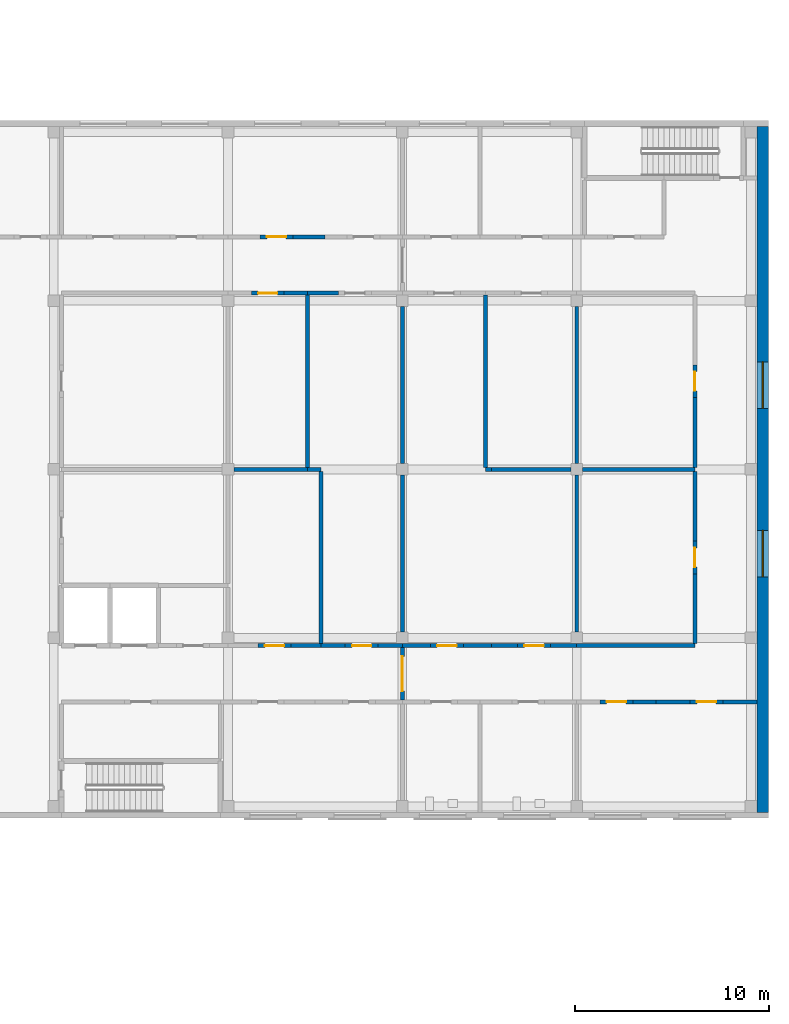
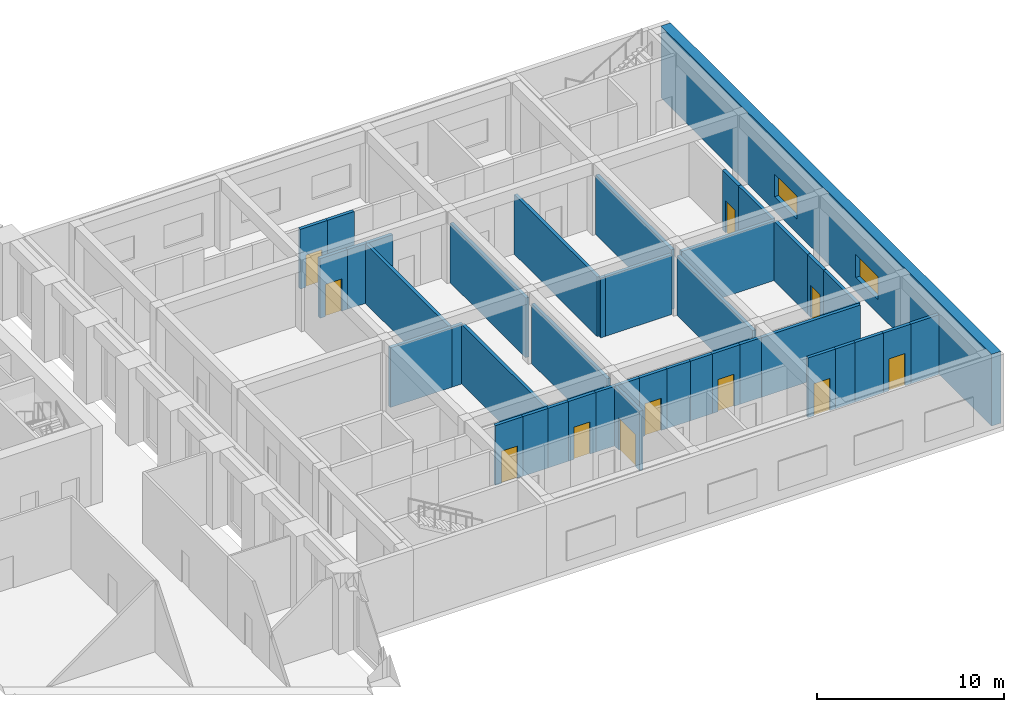
# One storey, part 14 of 24: 41 walls, 11 doors, 2 windows, 13 openings.
"""IFC4 building model written with IfcOpenShell, lengths in metres."""

from ifc_helpers import new_model, si_unit, direction, frame, frame_2d, origin, place, context, subcontext, project, spatial, rectangle, extrude, material, layer, layer_set, type_object, element, fill, save


model = new_model("IFC4")

# Units and contexts
model_context = context("Model", 3, precision=1e-05, world=origin(), true_north=direction((0.0, 1.0)))
body_context = subcontext(model_context, "Body", "Model", "MODEL_VIEW")
ifc_project = project(units=[si_unit("LENGTHUNIT", "METRE"), si_unit("AREAUNIT", "SQUARE_METRE"), si_unit("VOLUMEUNIT", "CUBIC_METRE"), si_unit("PLANEANGLEUNIT", "RADIAN"), si_unit("MASSUNIT", "GRAM", prefix="KILO")], contexts=[model_context])

# Site, building, storey
site_placement = place(None, origin())
site = spatial("IfcSite", under=ifc_project, at=site_placement, CompositionType="ELEMENT")
building_placement = place(site_placement, origin())
building = spatial("IfcBuilding", under=site, at=building_placement, Name="Girih Gate Residences", CompositionType="ELEMENT")
storey_placement = place(building_placement, frame((0.0, 0.0, 11.0)))
storey = spatial("IfcBuildingStorey", under=building, at=storey_placement, Name="L02", CompositionType="ELEMENT", Elevation=11.0)

# Wall, opening, door
ifc_material_1 = material(Name="Fire-rated gypsum partition")
ifc_layer_1 = layer(ifc_material_1, 0.199951171875)
ifc_layer_set_1 = layer_set([ifc_layer_1], Name="HC Corridor wall 200 EI 60")
wall_type_1 = type_object("IfcWallType", Name="HC Corridor wall 200 EI 60", PredefinedType="PARTITIONING", material=ifc_layer_set_1)
wall_1_placement = place(storey_placement, frame((83.35009765625, 15.0, 0.0), z_axis=(0.0, 0.0, 1.0), x_axis=(-1.0, 0.0, 0.0)))
wall_1 = element("IfcWall", 1, at=wall_1_placement, inside=storey, type_object=wall_type_1, Name="L02 wall x15.00/81.7", PredefinedType="PARTITIONING", context=body_context, shape_type="SweptSolid", body=[
    extrude(rectangle(XDim=1.7001953125, YDim=0.199951171875, at=frame_2d((0.85009765625, 0.0))), origin(), (0.0, 0.0, 1.0), 3.89990234375),
])
opening_1_placement = place(wall_1_placement, frame((0.35009765625, 0.0, 0.0)))
opening_1 = element("IfcOpeningElement", 2, at=opening_1_placement, cuts=wall_1, Name="Opening HC-L02-D12", PredefinedType="OPENING", context=body_context, shape_type="SweptSolid", body=[
    extrude(rectangle(XDim=1.0, YDim=2.10009765625, at=frame_2d((0.5, 1.050048828125))), frame((0.0, 0.10986328125, 0.0), z_axis=(0.0, -1.0, 0.0), x_axis=(1.0, 0.0, 0.0)), (0.0, 0.0, 1.0), 0.219970703125),
])
ifc_material_2 = material(Name="Timber door set", Category="wood")
door_type_1 = type_object("IfcDoorType", Name="HC Door 1000x2100 FD30S", OperationType="NOTDEFINED", PredefinedType="DOOR", material=ifc_material_2)
door_1_placement = place(opening_1_placement, origin())
door_1 = element("IfcDoor", 3, at=door_1_placement, inside=storey, type_object=door_type_1, Name="L02 Consulting room 3 door", OperationType="SINGLE_SWING_LEFT", OverallHeight=2.10009765625, OverallWidth=1.0, PredefinedType="DOOR", context=body_context, shape_type="SweptSolid", body=[
    extrude(rectangle(XDim=1.0, YDim=2.10009765625, at=frame_2d((0.5, 1.050048828125))), frame((0.0, 0.02490234375, 0.0), z_axis=(0.0, -1.0, 0.0), x_axis=(1.0, 0.0, 0.0)), (0.0, 0.0, 1.0), 0.050048828125),
])
fill(opening_1, door_1)

# Walls
wall_2_placement = place(storey_placement, frame((83.35009765625, 15.0, 0.0), z_axis=(0.0, 0.0, 1.0), x_axis=(1.0, 0.0, 0.0)))
element("IfcWall", 4, at=wall_2_placement, inside=storey, type_object=wall_type_1, Name="L02 wall x15.00/83.3", PredefinedType="PARTITIONING", context=body_context, shape_type="SweptSolid", body=[
    extrude(rectangle(XDim=1.199951171875, YDim=0.199951171875, at=frame_2d((0.60009765625, 0.0))), origin(), (0.0, 0.0, 1.0), 3.89990234375),
])
wall_3_placement = place(storey_placement, frame((84.550048828125, 15.0, 0.0), z_axis=(0.0, 0.0, 1.0), x_axis=(1.0, 0.0, 0.0)))
element("IfcWall", 5, at=wall_3_placement, inside=storey, type_object=wall_type_1, Name="L02 wall x15.00/84.5", PredefinedType="PARTITIONING", context=body_context, shape_type="SweptSolid", body=[
    extrude(rectangle(XDim=1.75, YDim=0.199951171875, at=frame_2d((0.875, 0.0))), origin(), (0.0, 0.0, 1.0), 3.89990234375),
])

# Wall, opening, door
wall_4_placement = place(storey_placement, frame((88.0, 15.0, 0.0), z_axis=(0.0, 0.0, 1.0), x_axis=(-1.0, 0.0, 0.0)))
wall_4 = element("IfcWall", 6, at=wall_4_placement, inside=storey, type_object=wall_type_1, Name="L02 wall x15.00/86.3", PredefinedType="PARTITIONING", context=body_context, shape_type="SweptSolid", body=[
    extrude(rectangle(XDim=1.699951171875, YDim=0.199951171875, at=frame_2d((0.85009765625, 0.0))), origin(), (0.0, 0.0, 1.0), 3.89990234375),
])
opening_2_placement = place(wall_4_placement, frame((0.35009765625, 0.0, 0.0)))
opening_2 = element("IfcOpeningElement", 7, at=opening_2_placement, cuts=wall_4, Name="Opening HC-L02-D13", PredefinedType="OPENING", context=body_context, shape_type="SweptSolid", body=[
    extrude(rectangle(XDim=1.0, YDim=2.10009765625, at=frame_2d((0.5, 1.050048828125))), frame((0.0, 0.10986328125, 0.0), z_axis=(0.0, -1.0, 0.0), x_axis=(1.0, 0.0, 0.0)), (0.0, 0.0, 1.0), 0.219970703125),
])
door_2_placement = place(opening_2_placement, origin())
door_2 = element("IfcDoor", 8, at=door_2_placement, inside=storey, type_object=door_type_1, Name="L02 Consulting room 4 door", OperationType="SINGLE_SWING_RIGHT", OverallHeight=2.10009765625, OverallWidth=1.0, PredefinedType="DOOR", context=body_context, shape_type="SweptSolid", body=[
    extrude(rectangle(XDim=1.0, YDim=2.10009765625, at=frame_2d((0.5, 1.050048828125))), frame((0.0, 0.02490234375, 0.0), z_axis=(0.0, -1.0, 0.0), x_axis=(1.0, 0.0, 0.0)), (0.0, 0.0, 1.0), 0.050048828125),
])
fill(opening_2, door_2)

# Wall
wall_5_placement = place(storey_placement, frame((88.0, 15.0, 0.0), z_axis=(0.0, 0.0, 1.0), x_axis=(1.0, 0.0, 0.0)))
element("IfcWall", 9, at=wall_5_placement, inside=storey, type_object=wall_type_1, Name="L02 wall x15.00/88.0", PredefinedType="PARTITIONING", context=body_context, shape_type="SweptSolid", body=[
    extrude(rectangle(XDim=1.75, YDim=0.199951171875, at=frame_2d((0.875, 0.0))), origin(), (0.0, 0.0, 1.0), 3.89990234375),
])

# Wall, opening, door
wall_6_placement = place(storey_placement, frame((64.0, 17.89990234375, 0.0), z_axis=(0.0, 0.0, 1.0), x_axis=(1.0, 0.0, 0.0)))
wall_6 = element("IfcWall", 10, at=wall_6_placement, inside=storey, type_object=wall_type_1, Name="L02 wall x17.90/64.0", PredefinedType="PARTITIONING", context=body_context, shape_type="SweptSolid", body=[
    extrude(rectangle(XDim=1.699951171875, YDim=0.199951171875, at=frame_2d((0.85009765625, 0.0))), origin(), (0.0, 0.0, 1.0), 3.89990234375),
])
opening_3_placement = place(wall_6_placement, frame((0.35009765625, 0.0, 0.0)))
opening_3 = element("IfcOpeningElement", 11, at=opening_3_placement, cuts=wall_6, Name="Opening HC-L02-D16", PredefinedType="OPENING", context=body_context, shape_type="SweptSolid", body=[
    extrude(rectangle(XDim=1.0, YDim=2.10009765625, at=frame_2d((0.5, 1.050048828125))), frame((0.0, 0.10986328125, 0.0), z_axis=(0.0, -1.0, 0.0), x_axis=(1.0, 0.0, 0.0)), (0.0, 0.0, 1.0), 0.219970703125),
])
door_3_placement = place(opening_3_placement, origin())
door_3 = element("IfcDoor", 12, at=door_3_placement, inside=storey, type_object=door_type_1, Name="L02 Treatment room 1 door", OperationType="SINGLE_SWING_RIGHT", OverallHeight=2.10009765625, OverallWidth=1.0, PredefinedType="DOOR", context=body_context, shape_type="SweptSolid", body=[
    extrude(rectangle(XDim=1.0, YDim=2.10009765625, at=frame_2d((0.5, 1.050048828125))), frame((0.0, 0.02490234375, 0.0), z_axis=(0.0, -1.0, 0.0), x_axis=(1.0, 0.0, 0.0)), (0.0, 0.0, 1.0), 0.050048828125),
])
fill(opening_3, door_3)

# Walls
wall_7_placement = place(storey_placement, frame((65.699951171875, 17.89990234375, 0.0), z_axis=(0.0, 0.0, 1.0), x_axis=(1.0, 0.0, 0.0)))
element("IfcWall", 13, at=wall_7_placement, inside=storey, type_object=wall_type_1, Name="L02 wall x17.90/65.7", PredefinedType="PARTITIONING", context=body_context, shape_type="SweptSolid", body=[
    extrude(rectangle(XDim=1.550048828125, YDim=0.199951171875, at=frame_2d((0.77490234375, 0.0))), origin(), (0.0, 0.0, 1.0), 3.89990234375),
])
wall_8_placement = place(storey_placement, frame((67.25, 17.89990234375, 0.0), z_axis=(0.0, 0.0, 1.0), x_axis=(1.0, 0.0, 0.0)))
element("IfcWall", 14, at=wall_8_placement, inside=storey, type_object=wall_type_1, Name="L02 wall x17.90/67.2", PredefinedType="PARTITIONING", context=body_context, shape_type="SweptSolid", body=[
    extrude(rectangle(XDim=1.25, YDim=0.199951171875, at=frame_2d((0.625, 0.0))), origin(), (0.0, 0.0, 1.0), 3.89990234375),
])

# Wall, opening, door
wall_9_placement = place(storey_placement, frame((68.5, 17.89990234375, 0.0), z_axis=(0.0, 0.0, 1.0), x_axis=(1.0, 0.0, 0.0)))
wall_9 = element("IfcWall", 15, at=wall_9_placement, inside=storey, type_object=wall_type_1, Name="L02 wall x17.90/68.5", PredefinedType="PARTITIONING", context=body_context, shape_type="SweptSolid", body=[
    extrude(rectangle(XDim=1.699951171875, YDim=0.199951171875, at=frame_2d((0.85009765625, 0.0))), origin(), (0.0, 0.0, 1.0), 3.89990234375),
])
opening_4_placement = place(wall_9_placement, frame((0.35009765625, 0.0, 0.0)))
opening_4 = element("IfcOpeningElement", 16, at=opening_4_placement, cuts=wall_9, Name="Opening HC-L02-D17", PredefinedType="OPENING", context=body_context, shape_type="SweptSolid", body=[
    extrude(rectangle(XDim=1.0, YDim=2.10009765625, at=frame_2d((0.5, 1.050048828125))), frame((0.0, 0.10986328125, 0.0), z_axis=(0.0, -1.0, 0.0), x_axis=(1.0, 0.0, 0.0)), (0.0, 0.0, 1.0), 0.219970703125),
])
door_4_placement = place(opening_4_placement, origin())
door_4 = element("IfcDoor", 17, at=door_4_placement, inside=storey, type_object=door_type_1, Name="L02 Interview room 1 door", OperationType="SINGLE_SWING_LEFT", OverallHeight=2.10009765625, OverallWidth=1.0, PredefinedType="DOOR", context=body_context, shape_type="SweptSolid", body=[
    extrude(rectangle(XDim=1.0, YDim=2.10009765625, at=frame_2d((0.5, 1.050048828125))), frame((0.0, 0.02490234375, 0.0), z_axis=(0.0, -1.0, 0.0), x_axis=(1.0, 0.0, 0.0)), (0.0, 0.0, 1.0), 0.050048828125),
])
fill(opening_4, door_4)

# Walls
wall_10_placement = place(storey_placement, frame((70.199951171875, 17.89990234375, 0.0), z_axis=(0.0, 0.0, 1.0), x_axis=(1.0, 0.0, 0.0)))
element("IfcWall", 18, at=wall_10_placement, inside=storey, type_object=wall_type_1, Name="L02 wall x17.90/70.2", PredefinedType="PARTITIONING", context=body_context, shape_type="SweptSolid", body=[
    extrude(rectangle(XDim=1.25, YDim=0.199951171875, at=frame_2d((0.625, 0.0))), origin(), (0.0, 0.0, 1.0), 3.89990234375),
])
wall_11_placement = place(storey_placement, frame((71.449951171875, 17.89990234375, 0.0), z_axis=(0.0, 0.0, 1.0), x_axis=(1.0, 0.0, 0.0)))
element("IfcWall", 19, at=wall_11_placement, inside=storey, type_object=wall_type_1, Name="L02 wall x17.90/71.5", PredefinedType="PARTITIONING", context=body_context, shape_type="SweptSolid", body=[
    extrude(rectangle(XDim=1.449951171875, YDim=0.199951171875, at=frame_2d((0.72509765625, 0.0))), origin(), (0.0, 0.0, 1.0), 3.89990234375),
])

# Wall, opening, door
wall_12_placement = place(storey_placement, frame((72.89990234375, 17.89990234375, 0.0), z_axis=(0.0, 0.0, 1.0), x_axis=(1.0, 0.0, 0.0)))
wall_12 = element("IfcWall", 20, at=wall_12_placement, inside=storey, type_object=wall_type_1, Name="L02 wall x17.90/72.9", PredefinedType="PARTITIONING", context=body_context, shape_type="SweptSolid", body=[
    extrude(rectangle(XDim=1.7001953125, YDim=0.199951171875, at=frame_2d((0.85009765625, 0.0))), origin(), (0.0, 0.0, 1.0), 3.89990234375),
])
opening_5_placement = place(wall_12_placement, frame((0.35009765625, 0.0, 0.0)))
opening_5 = element("IfcOpeningElement", 21, at=opening_5_placement, cuts=wall_12, Name="Opening HC-L02-D18", PredefinedType="OPENING", context=body_context, shape_type="SweptSolid", body=[
    extrude(rectangle(XDim=1.0, YDim=2.10009765625, at=frame_2d((0.5, 1.050048828125))), frame((0.0, 0.10986328125, 0.0), z_axis=(0.0, -1.0, 0.0), x_axis=(1.0, 0.0, 0.0)), (0.0, 0.0, 1.0), 0.219970703125),
])
door_5_placement = place(opening_5_placement, origin())
door_5 = element("IfcDoor", 22, at=door_5_placement, inside=storey, type_object=door_type_1, Name="L02 Consulting room 5 door", OperationType="SINGLE_SWING_RIGHT", OverallHeight=2.10009765625, OverallWidth=1.0, PredefinedType="DOOR", context=body_context, shape_type="SweptSolid", body=[
    extrude(rectangle(XDim=1.0, YDim=2.10009765625, at=frame_2d((0.5, 1.050048828125))), frame((0.0, 0.02490234375, 0.0), z_axis=(0.0, -1.0, 0.0), x_axis=(1.0, 0.0, 0.0)), (0.0, 0.0, 1.0), 0.050048828125),
])
fill(opening_5, door_5)

# Walls
wall_13_placement = place(storey_placement, frame((74.60009765625, 17.89990234375, 0.0), z_axis=(0.0, 0.0, 1.0), x_axis=(1.0, 0.0, 0.0)))
element("IfcWall", 23, at=wall_13_placement, inside=storey, type_object=wall_type_1, Name="L02 wall x17.90/74.6", PredefinedType="PARTITIONING", context=body_context, shape_type="SweptSolid", body=[
    extrude(rectangle(XDim=1.449951171875, YDim=0.199951171875, at=frame_2d((0.72509765625, 0.0))), origin(), (0.0, 0.0, 1.0), 3.89990234375),
])
wall_14_placement = place(storey_placement, frame((76.050048828125, 17.89990234375, 0.0), z_axis=(0.0, 0.0, 1.0), x_axis=(1.0, 0.0, 0.0)))
element("IfcWall", 24, at=wall_14_placement, inside=storey, type_object=wall_type_1, Name="L02 wall x17.90/76.0", PredefinedType="PARTITIONING", context=body_context, shape_type="SweptSolid", body=[
    extrude(rectangle(XDim=1.349853515625, YDim=0.199951171875, at=frame_2d((0.6748046875, 0.0))), origin(), (0.0, 0.0, 1.0), 3.89990234375),
])

# Wall, opening, door
wall_15_placement = place(storey_placement, frame((77.39990234375, 17.89990234375, 0.0), z_axis=(0.0, 0.0, 1.0), x_axis=(1.0, 0.0, 0.0)))
wall_15 = element("IfcWall", 25, at=wall_15_placement, inside=storey, type_object=wall_type_1, Name="L02 wall x17.90/77.4", PredefinedType="PARTITIONING", context=body_context, shape_type="SweptSolid", body=[
    extrude(rectangle(XDim=1.7001953125, YDim=0.199951171875, at=frame_2d((0.85009765625, 0.0))), origin(), (0.0, 0.0, 1.0), 3.89990234375),
])
opening_6_placement = place(wall_15_placement, frame((0.35009765625, 0.0, 0.0)))
opening_6 = element("IfcOpeningElement", 26, at=opening_6_placement, cuts=wall_15, Name="Opening HC-L02-D19", PredefinedType="OPENING", context=body_context, shape_type="SweptSolid", body=[
    extrude(rectangle(XDim=1.0, YDim=2.10009765625, at=frame_2d((0.5, 1.050048828125))), frame((0.0, 0.10986328125, 0.0), z_axis=(0.0, -1.0, 0.0), x_axis=(1.0, 0.0, 0.0)), (0.0, 0.0, 1.0), 0.219970703125),
])
door_6_placement = place(opening_6_placement, origin())
door_6 = element("IfcDoor", 27, at=door_6_placement, inside=storey, type_object=door_type_1, Name="L02 Consulting room 6 door", OperationType="SINGLE_SWING_LEFT", OverallHeight=2.10009765625, OverallWidth=1.0, PredefinedType="DOOR", context=body_context, shape_type="SweptSolid", body=[
    extrude(rectangle(XDim=1.0, YDim=2.10009765625, at=frame_2d((0.5, 1.050048828125))), frame((0.0, 0.02490234375, 0.0), z_axis=(0.0, -1.0, 0.0), x_axis=(1.0, 0.0, 0.0)), (0.0, 0.0, 1.0), 0.050048828125),
])
fill(opening_6, door_6)

# Walls
wall_16_placement = place(storey_placement, frame((79.10009765625, 17.89990234375, 0.0), z_axis=(0.0, 0.0, 1.0), x_axis=(1.0, 0.0, 0.0)))
element("IfcWall", 28, at=wall_16_placement, inside=storey, type_object=wall_type_1, Name="L02 wall x17.90/79.1", PredefinedType="PARTITIONING", context=body_context, shape_type="SweptSolid", body=[
    extrude(rectangle(XDim=1.349853515625, YDim=0.199951171875, at=frame_2d((0.6748046875, 0.0))), origin(), (0.0, 0.0, 1.0), 3.89990234375),
])
wall_17_placement = place(storey_placement, frame((80.449951171875, 17.89990234375, 0.0), z_axis=(0.0, 0.0, 1.0), x_axis=(1.0, 0.0, 0.0)))
element("IfcWall", 29, at=wall_17_placement, inside=storey, type_object=wall_type_1, Name="L02 wall x17.90/80.5", PredefinedType="PARTITIONING", context=body_context, shape_type="SweptSolid", body=[
    extrude(rectangle(XDim=6.10009765625, YDim=0.199951171875, at=frame_2d((3.050048828125, 0.0))), origin(), (0.0, 0.0, 1.0), 3.89990234375),
])

# Wall, opening, door
wall_18_placement = place(storey_placement, frame((65.35009765625, 36.10009765625, 0.0), z_axis=(0.0, 0.0, 1.0), x_axis=(-1.0, 0.0, 0.0)))
wall_18 = element("IfcWall", 30, at=wall_18_placement, inside=storey, type_object=wall_type_1, Name="L02 wall x36.10/63.6", PredefinedType="PARTITIONING", context=body_context, shape_type="SweptSolid", body=[
    extrude(rectangle(XDim=1.7001953125, YDim=0.199951171875, at=frame_2d((0.85009765625, 0.0))), origin(), (0.0, 0.0, 1.0), 3.89990234375),
])
opening_7_placement = place(wall_18_placement, frame((0.35009765625, 0.0, 0.0)))
opening_7 = element("IfcOpeningElement", 31, at=opening_7_placement, cuts=wall_18, Name="Opening HC-L02-D22", PredefinedType="OPENING", context=body_context, shape_type="SweptSolid", body=[
    extrude(rectangle(XDim=1.0, YDim=2.10009765625, at=frame_2d((0.5, 1.050048828125))), frame((0.0, 0.10986328125, 0.0), z_axis=(0.0, -1.0, 0.0), x_axis=(1.0, 0.0, 0.0)), (0.0, 0.0, 1.0), 0.219970703125),
])
door_7_placement = place(opening_7_placement, origin())
door_7 = element("IfcDoor", 32, at=door_7_placement, inside=storey, type_object=door_type_1, Name="L02 Consulting room 7 door", OperationType="SINGLE_SWING_LEFT", OverallHeight=2.10009765625, OverallWidth=1.0, PredefinedType="DOOR", context=body_context, shape_type="SweptSolid", body=[
    extrude(rectangle(XDim=1.0, YDim=2.10009765625, at=frame_2d((0.5, 1.050048828125))), frame((0.0, 0.02490234375, 0.0), z_axis=(0.0, -1.0, 0.0), x_axis=(1.0, 0.0, 0.0)), (0.0, 0.0, 1.0), 0.050048828125),
])
fill(opening_7, door_7)

# Walls
wall_19_placement = place(storey_placement, frame((65.35009765625, 36.10009765625, 0.0), z_axis=(0.0, 0.0, 1.0), x_axis=(1.0, 0.0, 0.0)))
element("IfcWall", 33, at=wall_19_placement, inside=storey, type_object=wall_type_1, Name="L02 wall x36.10/65.3", PredefinedType="PARTITIONING", context=body_context, shape_type="SweptSolid", body=[
    extrude(rectangle(XDim=1.199951171875, YDim=0.199951171875, at=frame_2d((0.60009765625, 0.0))), origin(), (0.0, 0.0, 1.0), 3.89990234375),
])
wall_20_placement = place(storey_placement, frame((66.550048828125, 36.10009765625, 0.0), z_axis=(0.0, 0.0, 1.0), x_axis=(1.0, 0.0, 0.0)))
element("IfcWall", 34, at=wall_20_placement, inside=storey, type_object=wall_type_1, Name="L02 wall x36.10/66.5", PredefinedType="PARTITIONING", context=body_context, shape_type="SweptSolid", body=[
    extrude(rectangle(XDim=1.599853515625, YDim=0.199951171875, at=frame_2d((0.7998046875, 0.0))), origin(), (0.0, 0.0, 1.0), 3.89990234375),
])

# Wall, opening, door
wall_21_placement = place(storey_placement, frame((64.10009765625, 39.0, 0.0), z_axis=(0.0, 0.0, 1.0), x_axis=(1.0, 0.0, 0.0)))
wall_21 = element("IfcWall", 35, at=wall_21_placement, inside=storey, type_object=wall_type_1, Name="L02 wall x39.00/64.1", PredefinedType="PARTITIONING", context=body_context, shape_type="SweptSolid", body=[
    extrude(rectangle(XDim=1.699951171875, YDim=0.199951171875, at=frame_2d((0.85009765625, 0.0))), origin(), (0.0, 0.0, 1.0), 3.89990234375),
])
opening_8_placement = place(wall_21_placement, frame((0.35009765625, 0.0, 0.0)))
opening_8 = element("IfcOpeningElement", 36, at=opening_8_placement, cuts=wall_21, Name="Opening HC-L02-D30", PredefinedType="OPENING", context=body_context, shape_type="SweptSolid", body=[
    extrude(rectangle(XDim=1.0, YDim=2.10009765625, at=frame_2d((0.5, 1.050048828125))), frame((0.0, 0.10986328125, 0.0), z_axis=(0.0, -1.0, 0.0), x_axis=(1.0, 0.0, 0.0)), (0.0, 0.0, 1.0), 0.219970703125),
])
door_8_placement = place(opening_8_placement, origin())
door_8 = element("IfcDoor", 37, at=door_8_placement, inside=storey, type_object=door_type_1, Name="L02 Consulting room 11 door", OperationType="SINGLE_SWING_RIGHT", OverallHeight=2.10009765625, OverallWidth=1.0, PredefinedType="DOOR", context=body_context, shape_type="SweptSolid", body=[
    extrude(rectangle(XDim=1.0, YDim=2.10009765625, at=frame_2d((0.5, 1.050048828125))), frame((0.0, 0.02490234375, 0.0), z_axis=(0.0, -1.0, 0.0), x_axis=(1.0, 0.0, 0.0)), (0.0, 0.0, 1.0), 0.050048828125),
])
fill(opening_8, door_8)

# Wall
wall_22_placement = place(storey_placement, frame((65.800048828125, 39.0, 0.0), z_axis=(0.0, 0.0, 1.0), x_axis=(1.0, 0.0, 0.0)))
element("IfcWall", 38, at=wall_22_placement, inside=storey, type_object=wall_type_1, Name="L02 wall x39.00/65.8", PredefinedType="PARTITIONING", context=body_context, shape_type="SweptSolid", body=[
    extrude(rectangle(XDim=1.64990234375, YDim=0.199951171875, at=frame_2d((0.824951171875, 0.0))), origin(), (0.0, 0.0, 1.0), 3.89990234375),
])

# Wall, opening, door
wall_23_placement = place(storey_placement, frame((71.449951171875, 17.800048828125, 0.0), z_axis=(0.0, 0.0, 1.0), x_axis=(0.0, -1.0, 0.0)))
wall_23 = element("IfcWall", 39, at=wall_23_placement, inside=storey, type_object=wall_type_1, Name="L02 wall y71.45/15.1", PredefinedType="PARTITIONING", context=body_context, shape_type="SweptSolid", body=[
    extrude(rectangle(XDim=2.699951171875, YDim=0.199951171875, at=frame_2d((1.35009765625, 0.0))), origin(), (0.0, 0.0, 1.0), 3.89990234375),
])
opening_9_placement = place(wall_23_placement, frame((0.449951171875, 0.0, 0.0)))
opening_9 = element("IfcOpeningElement", 40, at=opening_9_placement, cuts=wall_23, Name="Opening HC-L02-D05", PredefinedType="OPENING", context=body_context, shape_type="SweptSolid", body=[
    extrude(rectangle(XDim=1.800048828125, YDim=2.10009765625, at=frame_2d((0.89990234375, 1.050048828125))), frame((0.0, 0.10986328125, 0.0), z_axis=(0.0, -1.0, 0.0), x_axis=(1.0, 0.0, 0.0)), (0.0, 0.0, 1.0), 0.219970703125),
])
door_type_2 = type_object("IfcDoorType", Name="HC Corridor fire door pair 1800x2100 FD30S", OperationType="NOTDEFINED", PredefinedType="DOOR", material=ifc_material_2)
door_9_placement = place(opening_9_placement, origin())
door_9 = element("IfcDoor", 41, at=door_9_placement, inside=storey, type_object=door_type_2, Name="L02 corridor south fire door pair", OperationType="DOUBLE_DOOR_DOUBLE_SWING", OverallHeight=2.10009765625, OverallWidth=1.800048828125, PredefinedType="DOOR", context=body_context, shape_type="SweptSolid", body=[
    extrude(rectangle(XDim=1.800048828125, YDim=2.10009765625, at=frame_2d((0.89990234375, 1.050048828125))), frame((0.0, 0.02490234375, 0.0), z_axis=(0.0, -1.0, 0.0), x_axis=(1.0, 0.0, 0.0)), (0.0, 0.0, 1.0), 0.050048828125),
])
fill(opening_9, door_9)

# Wall
wall_24_placement = place(storey_placement, frame((86.550048828125, 18.0, 0.0), z_axis=(0.0, 0.0, 1.0), x_axis=(0.0, 1.0, 0.0)))
element("IfcWall", 42, at=wall_24_placement, inside=storey, type_object=wall_type_1, Name="L02 wall y86.55/18.0", PredefinedType="PARTITIONING", context=body_context, shape_type="SweptSolid", body=[
    extrude(rectangle(XDim=3.60009765625, YDim=0.199951171875, at=frame_2d((1.800048828125, 0.0))), origin(), (0.0, 0.0, 1.0), 3.89990234375),
])

# Wall, opening, door
wall_25_placement = place(storey_placement, frame((86.550048828125, 21.60009765625, 0.0), z_axis=(0.0, 0.0, 1.0), x_axis=(0.0, 1.0, 0.0)))
wall_25 = element("IfcWall", 43, at=wall_25_placement, inside=storey, type_object=wall_type_1, Name="L02 wall y86.55/21.6", PredefinedType="PARTITIONING", context=body_context, shape_type="SweptSolid", body=[
    extrude(rectangle(XDim=1.699951171875, YDim=0.199951171875, at=frame_2d((0.85009765625, 0.0))), origin(), (0.0, 0.0, 1.0), 3.89990234375),
])
opening_10_placement = place(wall_25_placement, frame((0.35009765625, 0.0, 0.0)))
opening_10 = element("IfcOpeningElement", 44, at=opening_10_placement, cuts=wall_25, Name="Opening HC-L02-D20", PredefinedType="OPENING", context=body_context, shape_type="SweptSolid", body=[
    extrude(rectangle(XDim=1.0, YDim=2.10009765625, at=frame_2d((0.5, 1.050048828125))), frame((0.0, 0.10986328125, 0.0), z_axis=(0.0, -1.0, 0.0), x_axis=(1.0, 0.0, 0.0)), (0.0, 0.0, 1.0), 0.219970703125),
])
door_10_placement = place(opening_10_placement, origin())
door_10 = element("IfcDoor", 45, at=door_10_placement, inside=storey, type_object=door_type_1, Name="L02 Treatment room 2 door", OperationType="SINGLE_SWING_RIGHT", OverallHeight=2.10009765625, OverallWidth=1.0, PredefinedType="DOOR", context=body_context, shape_type="SweptSolid", body=[
    extrude(rectangle(XDim=1.0, YDim=2.10009765625, at=frame_2d((0.5, 1.050048828125))), frame((0.0, 0.02490234375, 0.0), z_axis=(0.0, -1.0, 0.0), x_axis=(1.0, 0.0, 0.0)), (0.0, 0.0, 1.0), 0.050048828125),
])
fill(opening_10, door_10)

# Walls
for number, where, z_axis, x_axis, name in (
    (46, (86.550048828125, 23.300048828125, 0.0), (0.0, 0.0, 1.0), (0.0, 1.0, 0.0), "L02 wall y86.55/23.3"),
    (47, (86.550048828125, 27.10009765625, 0.0), (0.0, 0.0, 1.0), (0.0, 1.0, 0.0), "L02 wall y86.55/27.1"),
):
    element("IfcWall", number, at=place(storey_placement, frame(where, z_axis=z_axis, x_axis=x_axis)), inside=storey, type_object=wall_type_1, Name=name, PredefinedType="PARTITIONING", context=body_context, shape_type="SweptSolid", body=[
        extrude(rectangle(XDim=3.599853515625, YDim=0.199951171875, at=frame_2d((1.7998046875, 0.0))), origin(), (0.0, 0.0, 1.0), 3.89990234375),
    ])

# Wall, opening, door
wall_26_placement = place(storey_placement, frame((86.550048828125, 30.699951171875, 0.0), z_axis=(0.0, 0.0, 1.0), x_axis=(0.0, 1.0, 0.0)))
wall_26 = element("IfcWall", 48, at=wall_26_placement, inside=storey, type_object=wall_type_1, Name="L02 wall y86.55/30.7", PredefinedType="PARTITIONING", context=body_context, shape_type="SweptSolid", body=[
    extrude(rectangle(XDim=1.699951171875, YDim=0.199951171875, at=frame_2d((0.85009765625, 0.0))), origin(), (0.0, 0.0, 1.0), 3.89990234375),
])
opening_11_placement = place(wall_26_placement, frame((0.35009765625, 0.0, 0.0)))
opening_11 = element("IfcOpeningElement", 49, at=opening_11_placement, cuts=wall_26, Name="Opening HC-L02-D26", PredefinedType="OPENING", context=body_context, shape_type="SweptSolid", body=[
    extrude(rectangle(XDim=1.0, YDim=2.10009765625, at=frame_2d((0.5, 1.050048828125))), frame((0.0, 0.10986328125, 0.0), z_axis=(0.0, -1.0, 0.0), x_axis=(1.0, 0.0, 0.0)), (0.0, 0.0, 1.0), 0.219970703125),
])
door_11_placement = place(opening_11_placement, origin())
door_11 = element("IfcDoor", 50, at=door_11_placement, inside=storey, type_object=door_type_1, Name="L02 Interview room 3 door", OperationType="SINGLE_SWING_RIGHT", OverallHeight=2.10009765625, OverallWidth=1.0, PredefinedType="DOOR", context=body_context, shape_type="SweptSolid", body=[
    extrude(rectangle(XDim=1.0, YDim=2.10009765625, at=frame_2d((0.5, 1.050048828125))), frame((0.0, 0.02490234375, 0.0), z_axis=(0.0, -1.0, 0.0), x_axis=(1.0, 0.0, 0.0)), (0.0, 0.0, 1.0), 0.050048828125),
])
fill(opening_11, door_11)

# Wall, openings, windows
ifc_material_3 = material(Name="Precast concrete C40/50", Category="concrete")
ifc_layer_2 = layer(ifc_material_3, 0.60009765625)
ifc_layer_set_2 = layer_set([ifc_layer_2], Name="HC Facade wall 600")
wall_type_2 = type_object("IfcWallType", Name="HC Facade wall 600", PredefinedType="SOLIDWALL", material=ifc_layer_set_2)
wall_27_placement = place(storey_placement, frame((90.050048828125, 9.300048828125, 0.0), z_axis=(0.0, 0.0, 1.0), x_axis=(0.0, 1.0, 0.0)))
wall_27 = element("IfcWall", 51, at=wall_27_placement, inside=storey, type_object=wall_type_2, Name="L02 east facade wall", PredefinedType="SOLIDWALL", context=body_context, shape_type="SweptSolid", body=[
    extrude(rectangle(XDim=35.39990234375, YDim=0.60009765625, at=frame_2d((17.699951171875, 0.0))), origin(), (0.0, 0.0, 1.0), 4.699951171875),
])
opening_12_placement = place(wall_27_placement, frame((12.14990234375, 0.0, 0.89990234375)))
opening_12 = element("IfcOpeningElement", 52, at=opening_12_placement, cuts=wall_27, Name="Opening HC-W-L02-E01", PredefinedType="OPENING", context=body_context, shape_type="SweptSolid", body=[
    extrude(rectangle(XDim=2.39990234375, YDim=1.5, at=frame_2d((1.199951171875, 0.75))), frame((0.0, 0.31005859375, 0.0), z_axis=(0.0, -1.0, 0.0), x_axis=(1.0, 0.0, 0.0)), (0.0, 0.0, 1.0), 0.6201171875),
])
opening_13_placement = place(wall_27_placement, frame((20.85009765625, 0.0, 0.89990234375)))
opening_13 = element("IfcOpeningElement", 53, at=opening_13_placement, cuts=wall_27, Name="Opening HC-W-L02-E02", PredefinedType="OPENING", context=body_context, shape_type="SweptSolid", body=[
    extrude(rectangle(XDim=2.39990234375, YDim=1.5, at=frame_2d((1.199951171875, 0.75))), frame((0.0, 0.31005859375, 0.0), z_axis=(0.0, -1.0, 0.0), x_axis=(1.0, 0.0, 0.0)), (0.0, 0.0, 1.0), 0.6201171875),
])
ifc_material_4 = material(Name="Aluminium framed glazing", Category="aluminium")
window_type = type_object("IfcWindowType", Name="HC Window W-4 2400x1500", PartitioningType="DOUBLE_PANEL_VERTICAL", PredefinedType="WINDOW", material=ifc_material_4)
window_1_placement = place(opening_12_placement, origin())
window_1 = element("IfcWindow", 54, at=window_1_placement, inside=storey, type_object=window_type, Name="L02 east window 1", OverallHeight=1.5, OverallWidth=2.39990234375, PartitioningType="DOUBLE_PANEL_VERTICAL", PredefinedType="WINDOW", context=body_context, shape_type="SweptSolid", body=[
    extrude(rectangle(XDim=2.39990234375, YDim=1.5, at=frame_2d((1.199951171875, 0.75))), frame((0.0, 0.030029296875, 0.0), z_axis=(0.0, -1.0, 0.0), x_axis=(1.0, 0.0, 0.0)), (0.0, 0.0, 1.0), 0.06005859375),
])
fill(opening_12, window_1)
window_2_placement = place(opening_13_placement, origin())
window_2 = element("IfcWindow", 55, at=window_2_placement, inside=storey, type_object=window_type, Name="L02 east window 2", OverallHeight=1.5, OverallWidth=2.39990234375, PartitioningType="DOUBLE_PANEL_VERTICAL", PredefinedType="WINDOW", context=body_context, shape_type="SweptSolid", body=[
    extrude(rectangle(XDim=2.39990234375, YDim=1.5, at=frame_2d((1.199951171875, 0.75))), frame((0.0, 0.030029296875, 0.0), z_axis=(0.0, -1.0, 0.0), x_axis=(1.0, 0.0, 0.0)), (0.0, 0.0, 1.0), 0.06005859375),
])
fill(opening_13, window_2)

# Walls
ifc_material_5 = material(Name="Gypsum partition")
ifc_layer_3 = layer(ifc_material_5, 0.199951171875)
ifc_layer_set_3 = layer_set([ifc_layer_3], Name="HC Room partition 200 EI 30")
wall_type_3 = type_object("IfcWallType", Name="HC Room partition 200 EI 30", PredefinedType="PARTITIONING", material=ifc_layer_set_3)
wall_28_placement = place(storey_placement, frame((62.75, 27.0, 0.0), z_axis=(0.0, 0.0, 1.0), x_axis=(1.0, 0.0, 0.0)))
element("IfcWall", 56, at=wall_28_placement, inside=storey, type_object=wall_type_3, Name="L02 wall x27.00/62.8", PredefinedType="PARTITIONING", context=body_context, shape_type="SweptSolid", body=[
    extrude(rectangle(XDim=3.800048828125, YDim=0.199951171875, at=frame_2d((1.89990234375, 0.0))), origin(), (0.0, 0.0, 1.0), 3.89990234375),
])
wall_29_placement = place(storey_placement, frame((66.550048828125, 27.0, 0.0), z_axis=(0.0, 0.0, 1.0), x_axis=(1.0, 0.0, 0.0)))
element("IfcWall", 57, at=wall_29_placement, inside=storey, type_object=wall_type_3, Name="L02 wall x27.00/66.5", PredefinedType="PARTITIONING", context=body_context, shape_type="SweptSolid", body=[
    extrude(rectangle(XDim=0.699951171875, YDim=0.199951171875, at=frame_2d((0.35009765625, 0.0))), origin(), (0.0, 0.0, 1.0), 3.89990234375),
])
wall_30_placement = place(storey_placement, frame((75.75, 27.0, 0.0), z_axis=(0.0, 0.0, 1.0), x_axis=(1.0, 0.0, 0.0)))
element("IfcWall", 58, at=wall_30_placement, inside=storey, type_object=wall_type_3, Name="L02 wall x27.00/75.8", PredefinedType="PARTITIONING", context=body_context, shape_type="SweptSolid", body=[
    extrude(rectangle(XDim=0.300048828125, YDim=0.199951171875, at=frame_2d((0.14990234375, 0.0))), origin(), (0.0, 0.0, 1.0), 3.89990234375),
])
wall_31_placement = place(storey_placement, frame((76.050048828125, 27.0, 0.0), z_axis=(0.0, 0.0, 1.0), x_axis=(1.0, 0.0, 0.0)))
element("IfcWall", 59, at=wall_31_placement, inside=storey, type_object=wall_type_3, Name="L02 wall x27.00/76.0", PredefinedType="PARTITIONING", context=body_context, shape_type="SweptSolid", body=[
    extrude(rectangle(XDim=4.099853515625, YDim=0.199951171875, at=frame_2d((2.0498046875, 0.0))), origin(), (0.0, 0.0, 1.0), 3.89990234375),
])
wall_32_placement = place(storey_placement, frame((80.75, 27.0, 0.0), z_axis=(0.0, 0.0, 1.0), x_axis=(1.0, 0.0, 0.0)))
element("IfcWall", 60, at=wall_32_placement, inside=storey, type_object=wall_type_3, Name="L02 wall x27.00/80.8", PredefinedType="PARTITIONING", context=body_context, shape_type="SweptSolid", body=[
    extrude(rectangle(XDim=5.800048828125, YDim=0.199951171875, at=frame_2d((2.89990234375, 0.0))), origin(), (0.0, 0.0, 1.0), 3.89990234375),
])
for number, where, z_axis, x_axis, name in (
    (61, (66.550048828125, 27.10009765625, 0.0), (0.0, 0.0, 1.0), (0.0, 1.0, 0.0), "L02 wall y66.55/27.1"),
    (62, (67.25, 18.0, 0.0), (0.0, 0.0, 1.0), (0.0, 1.0, 0.0), "L02 wall y67.25/18.0"),
):
    element("IfcWall", number, at=place(storey_placement, frame(where, z_axis=z_axis, x_axis=x_axis)), inside=storey, type_object=wall_type_3, Name=name, PredefinedType="PARTITIONING", context=body_context, shape_type="SweptSolid", body=[
        extrude(rectangle(XDim=8.89990234375, YDim=0.199951171875, at=frame_2d((4.449951171875, 0.0))), origin(), (0.0, 0.0, 1.0), 3.89990234375),
    ])
for number, where, z_axis, x_axis, name in (
    (63, (71.449951171875, 18.60009765625, 0.0), (0.0, 0.0, 1.0), (0.0, 1.0, 0.0), "L02 wall y71.45/18.6"),
    (64, (71.449951171875, 27.300048828125, 0.0), (0.0, 0.0, 1.0), (0.0, 1.0, 0.0), "L02 wall y71.45/27.3"),
):
    element("IfcWall", number, at=place(storey_placement, frame(where, z_axis=z_axis, x_axis=x_axis)), inside=storey, type_object=wall_type_3, Name=name, PredefinedType="PARTITIONING", context=body_context, shape_type="SweptSolid", body=[
        extrude(rectangle(XDim=8.099853515625, YDim=0.199951171875, at=frame_2d((4.0498046875, 0.0))), origin(), (0.0, 0.0, 1.0), 3.89990234375),
    ])
wall_33_placement = place(storey_placement, frame((75.75, 27.10009765625, 0.0), z_axis=(0.0, 0.0, 1.0), x_axis=(0.0, 1.0, 0.0)))
element("IfcWall", 65, at=wall_33_placement, inside=storey, type_object=wall_type_3, Name="L02 wall y75.75/27.1", PredefinedType="PARTITIONING", context=body_context, shape_type="SweptSolid", body=[
    extrude(rectangle(XDim=8.89990234375, YDim=0.199951171875, at=frame_2d((4.449951171875, 0.0))), origin(), (0.0, 0.0, 1.0), 3.89990234375),
])
for number, where, z_axis, x_axis, name in (
    (66, (80.449951171875, 18.60009765625, 0.0), (0.0, 0.0, 1.0), (0.0, 1.0, 0.0), "L02 wall y80.45/18.6"),
    (67, (80.449951171875, 27.300048828125, 0.0), (0.0, 0.0, 1.0), (0.0, 1.0, 0.0), "L02 wall y80.45/27.3"),
):
    element("IfcWall", number, at=place(storey_placement, frame(where, z_axis=z_axis, x_axis=x_axis)), inside=storey, type_object=wall_type_3, Name=name, PredefinedType="PARTITIONING", context=body_context, shape_type="SweptSolid", body=[
        extrude(rectangle(XDim=8.099853515625, YDim=0.199951171875, at=frame_2d((4.0498046875, 0.0))), origin(), (0.0, 0.0, 1.0), 3.89990234375),
    ])

save(model, "model.ifc")
